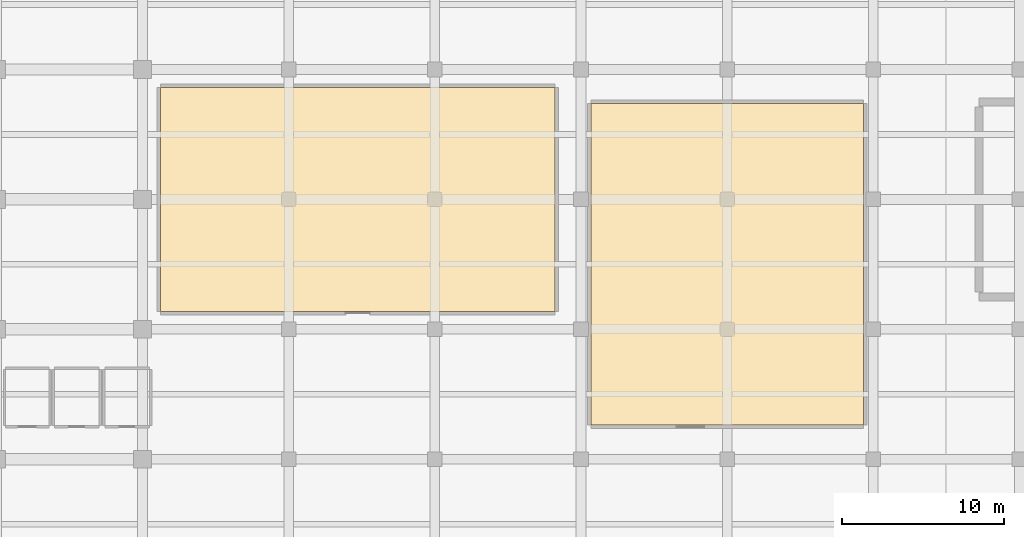
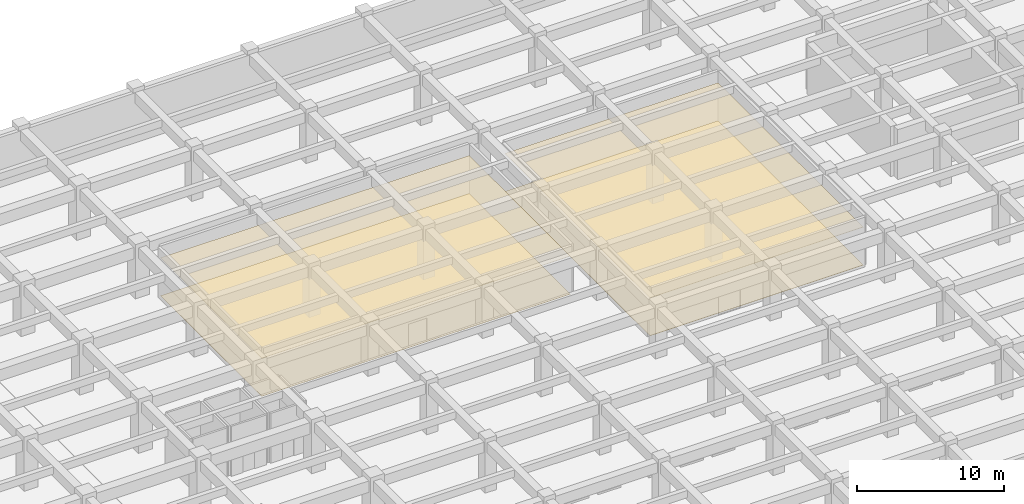
# One storey, part 22 of 26: 4 coverings.
"""IFC4 building model written with IfcOpenShell, lengths in metres."""

from ifc_helpers import new_model, si_unit, direction, frame, origin, place, context, subcontext, project, spatial, polyline, outline, extrude, material, layer, layer_set, type_object, element, save


model = new_model("IFC4")

# Units and contexts
model_context = context("Model", 3, precision=1e-05, world=origin(), true_north=direction((0.0, 1.0)))
body_context = subcontext(model_context, "Body", "Model", "MODEL_VIEW")
ifc_project = project(units=[si_unit("LENGTHUNIT", "METRE"), si_unit("AREAUNIT", "SQUARE_METRE"), si_unit("VOLUMEUNIT", "CUBIC_METRE"), si_unit("PLANEANGLEUNIT", "RADIAN"), si_unit("MASSUNIT", "GRAM", prefix="KILO")], contexts=[model_context])

# Site, building, storey
site_placement = place(None, origin())
site = spatial("IfcSite", under=ifc_project, at=site_placement, CompositionType="ELEMENT")
building_placement = place(site_placement, origin())
building = spatial("IfcBuilding", under=site, at=building_placement, Name="Zaverband Oceanarium and Marine Research Institute", CompositionType="ELEMENT")
storey_placement = place(building_placement, frame((0.0, 0.0, -4.5)))
storey = spatial("IfcBuildingStorey", under=building, at=storey_placement, Name="B1", CompositionType="ELEMENT", Elevation=-4.5)

# Coverings
ifc_material_1 = material(Name="Perforated mineral-fibre acoustic ceiling tile")
ifc_layer_1 = layer(ifc_material_1, 0.02490234375, Name="Perforated mineral-fibre acoustic ceiling tile")
ifc_layer_set_1 = layer_set([ifc_layer_1], Name="Perforated mineral-fibre acoustic ceiling tile")
covering_type_1 = type_object("IfcCoveringType", Name="CLG-AC-15", PredefinedType="CEILING", material=ifc_layer_set_1)
covering_1_placement = place(storey_placement, frame((0.0, 0.0, 3.159912109375)))
element("IfcCovering", 1, at=covering_1_placement, inside=storey, type_object=covering_type_1, Name="Suspended acoustic ceiling CLG-AC-15", PredefinedType="CEILING", context=body_context, shape_type="SweptSolid", body=[
    extrude(outline(polyline([(99.610107421875, 82.110107421875), (116.389892578125, 82.110107421875), (116.389892578125, 101.889892578125), (99.610107421875, 101.889892578125), (99.610107421875, 82.110107421875)])), origin(), (0.0, 0.0, 1.0), 0.025146484375),
])
covering_2_placement = place(storey_placement, frame((0.0, 0.0, 3.159912109375)))
element("IfcCovering", 2, at=covering_2_placement, inside=storey, type_object=covering_type_1, Name="Suspended acoustic ceiling CLG-AC-15", PredefinedType="CEILING", context=body_context, shape_type="SweptSolid", body=[
    extrude(outline(polyline([(73.110107421875, 89.110107421875), (97.389892578125, 89.110107421875), (97.389892578125, 102.889892578125), (73.110107421875, 102.889892578125), (73.110107421875, 89.110107421875)])), origin(), (0.0, 0.0, 1.0), 0.025146484375),
])
ifc_material_2 = material(Name="Polished marine terrazzo and seamless laboratory epoxy flooring")
ifc_layer_2 = layer(ifc_material_2, 0.02490234375, Name="Polished marine terrazzo and seamless laboratory epoxy flooring")
ifc_layer_set_2 = layer_set([ifc_layer_2], Name="Polished marine terrazzo and seamless laboratory epoxy flooring")
covering_type_2 = type_object("IfcCoveringType", Name="FLR-TRZ-20", PredefinedType="FLOORING", material=ifc_layer_set_2)
covering_3_placement = place(storey_placement, origin())
element("IfcCovering", 3, at=covering_3_placement, inside=storey, type_object=covering_type_2, Name="Terrazzo and marine epoxy floor finish FLR-TRZ-20", PredefinedType="FLOORING", context=body_context, shape_type="SweptSolid", body=[
    extrude(outline(polyline([(99.610107421875, 82.110107421875), (116.389892578125, 82.110107421875), (116.389892578125, 101.889892578125), (99.610107421875, 101.889892578125), (99.610107421875, 82.110107421875)])), origin(), (0.0, 0.0, 1.0), 0.02490234375),
])
covering_4_placement = place(storey_placement, origin())
element("IfcCovering", 4, at=covering_4_placement, inside=storey, type_object=covering_type_2, Name="Terrazzo and marine epoxy floor finish FLR-TRZ-20", PredefinedType="FLOORING", context=body_context, shape_type="SweptSolid", body=[
    extrude(outline(polyline([(73.110107421875, 89.110107421875), (97.389892578125, 89.110107421875), (97.389892578125, 102.889892578125), (73.110107421875, 102.889892578125), (73.110107421875, 89.110107421875)])), origin(), (0.0, 0.0, 1.0), 0.02490234375),
])

save(model, "model.ifc")
